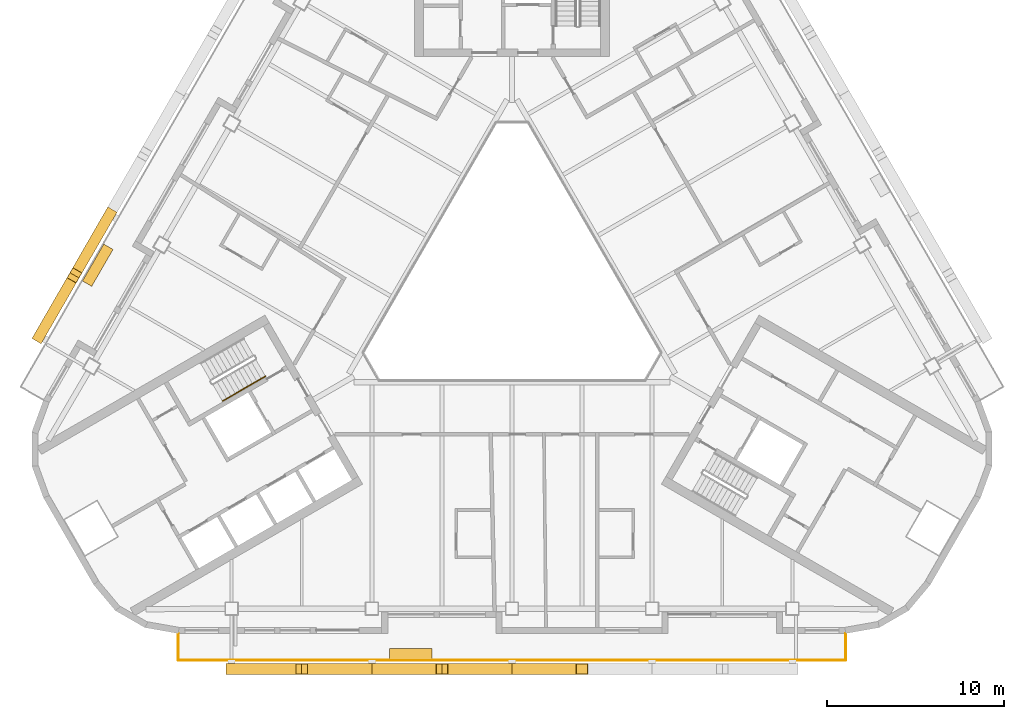
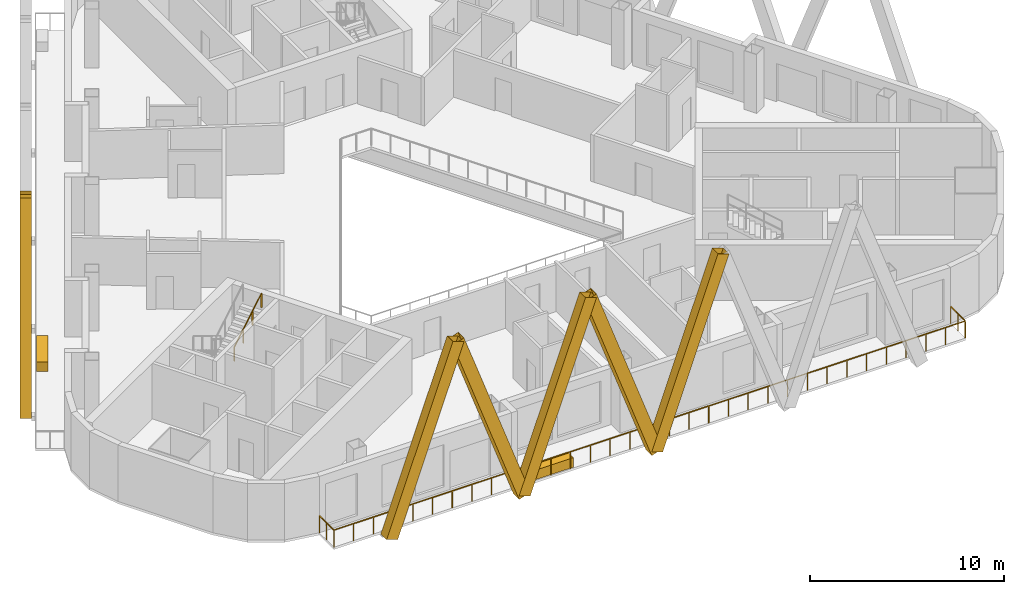
# One storey, part 8 of 13: 7 shading devices, 2 coverings, 2 railings.
"""IFC4 building model written with IfcOpenShell, lengths in metres."""

import ifcopenshell
import ifcopenshell.guid

model = None  # the IFC model being written
_history = None  # IfcOwnerHistory: only IFC2X3 demands one
_inside = {}  # id of a spatial element -> (the spatial element, [elements in it])
_under = {}  # id of a project, library or spatial element -> (it, [spatial elements below it])
_declared = {}  # id of a project -> (the project, [libraries it declares])
_typed = {}  # id of a type object -> (the type object, [elements of that type])
_made_of = {}  # id of a material, layer set ... -> (it, [elements and type objects made of it])


def new_model(schema):
    """Start an empty IFC model of exactly this schema.

    Asked for "IFC4X3", IfcOpenShell would pick the latest addendum, in which some entities
    have other attributes; the version numbers below select the first issue.
    IFC2X3 requires an IfcOwnerHistory on every rooted entity: one is made here for all.
    """
    global model, _history
    if schema == "IFC4X3":
        model = ifcopenshell.file(schema_version=(4, 3, 0, 0))
    else:
        model = ifcopenshell.file(schema=schema)
    _inside.clear()
    _under.clear()
    _declared.clear()
    _typed.clear()
    _made_of.clear()
    _history = None
    if model.schema == "IFC2X3":
        org = make("IfcOrganization", Name="unknown")
        user = make(
            "IfcPersonAndOrganization",
            ThePerson=make("IfcPerson", FamilyName="unknown"),
            TheOrganization=org,
        )
        app = make(
            "IfcApplication",
            ApplicationDeveloper=org,
            Version="unknown",
            ApplicationFullName="unknown",
            ApplicationIdentifier="unknown",
        )
        _history = make(
            "IfcOwnerHistory",
            OwningUser=user,
            OwningApplication=app,
            ChangeAction="ADDED",
            CreationDate=0,
        )
    return model


def make(cls, **values):
    """One entity of the class cls with the attributes given. An attribute that is None is left unset."""
    return model.create_entity(
        cls, **{name: value for name, value in values.items() if value is not None}
    )


def rooted(cls, **values):
    """An entity with a GlobalId (a new one), such as an element, a storey or a relation."""
    return make(cls, GlobalId=ifcopenshell.guid.new(), OwnerHistory=_history, **values)


def si_unit(unit_type, name, prefix=None):
    """IfcSIUnit, for example si_unit("LENGTHUNIT", "METRE", prefix="MILLI")."""
    return make("IfcSIUnit", UnitType=unit_type, Prefix=prefix, Name=name)


def assignment(units):
    """IfcUnitAssignment: the units of a project."""
    return None if units is None else make("IfcUnitAssignment", Units=units)


def point(xyz):
    """IfcCartesianPoint."""
    return None if xyz is None else make("IfcCartesianPoint", Coordinates=xyz)


def direction(xyz):
    """IfcDirection."""
    return None if xyz is None else make("IfcDirection", DirectionRatios=xyz)


def frame(location, z_axis=None, x_axis=None):
    """IfcAxis2Placement3D, a coordinate frame: its origin and axes. An axis left out is left unset."""
    return make(
        "IfcAxis2Placement3D",
        Location=point(location),
        Axis=direction(z_axis),
        RefDirection=direction(x_axis),
    )


def frame_2d(location, x_axis=None):
    """IfcAxis2Placement2D, a coordinate frame in the plane: its origin and x axis."""
    return make(
        "IfcAxis2Placement2D", Location=point(location), RefDirection=direction(x_axis)
    )


def origin():
    """The frame at (0, 0, 0) with its axes left unset."""
    return frame((0.0, 0.0, 0.0))


def origin_2d():
    """The frame at (0, 0) in the plane with its x axis left unset."""
    return frame_2d((0.0, 0.0))


def place(relative_to, where):
    """IfcLocalPlacement: puts the frame where relative to a parent placement (None: the world)."""
    return make(
        "IfcLocalPlacement", PlacementRelTo=relative_to, RelativePlacement=where
    )


def context(
    kind, dimensions, precision=None, world=None, true_north=None, identifier=None
):
    """IfcGeometricRepresentationContext, for example the 3D "Model" context."""
    return make(
        "IfcGeometricRepresentationContext",
        ContextIdentifier=identifier,
        ContextType=kind,
        CoordinateSpaceDimension=dimensions,
        Precision=precision,
        WorldCoordinateSystem=world,
        TrueNorth=true_north,
    )


def subcontext(parent, identifier, kind, view, scale=None):
    """IfcGeometricRepresentationSubContext, for example "Body" below "Model"."""
    return make(
        "IfcGeometricRepresentationSubContext",
        ContextIdentifier=identifier,
        ContextType=kind,
        ParentContext=parent,
        TargetScale=scale,
        TargetView=view,
    )


def project(units=None, contexts=None):
    """IfcProject with its units and contexts."""
    return rooted(
        "IfcProject",
        Name="project",
        RepresentationContexts=contexts,
        UnitsInContext=assignment(units),
    )


def spatial(cls, under=None, at=None, **own):
    """A site, building, storey or space (cls), placed at a placement, below another one or the project."""
    s = rooted(cls, ObjectPlacement=at, **own)
    if under is not None:
        _under.setdefault(under.id(), (under, []))[1].append(s)
    return s


def profile(cls, at=None, kind="AREA", **sizes):
    """A parametric profile (cls). Its sizes go by their IFC names, for example OverallWidth=200.0."""
    return make(cls, ProfileType=kind, Position=at, **sizes)


def rectangle(**sizes):
    """IfcRectangleProfileDef."""
    return profile("IfcRectangleProfileDef", **sizes)


def hollow_rectangle(**sizes):
    """IfcRectangleHollowProfileDef."""
    return profile("IfcRectangleHollowProfileDef", **sizes)


def circle(**sizes):
    """IfcCircleProfileDef."""
    return profile("IfcCircleProfileDef", **sizes)


def extrude(swept, where, along, depth):
    """IfcExtrudedAreaSolid: the profile swept, set in the frame where, extruded along a direction by depth."""
    return make(
        "IfcExtrudedAreaSolid",
        SweptArea=swept,
        Position=where,
        ExtrudedDirection=direction(along),
        Depth=depth,
    )


def shape(context_of_items, identifier, shape_type, items):
    """IfcShapeRepresentation: the items that make up one representation, for example the "Body"."""
    return make(
        "IfcShapeRepresentation",
        ContextOfItems=context_of_items,
        RepresentationIdentifier=identifier,
        RepresentationType=shape_type,
        Items=items,
    )


def material(Name=None, Category=None):
    """IfcMaterial."""
    return make("IfcMaterial", Name=Name, Category=Category)


def material_profile(
    of_material, cross_section, Name=None, Category=None, Priority=None
):
    """IfcMaterialProfile: a cross section and its material."""
    return make(
        "IfcMaterialProfile",
        Name=Name,
        Material=of_material,
        Profile=cross_section,
        Priority=Priority,
        Category=Category,
    )


def profile_set(profiles, Name=None, composite=None):
    """IfcMaterialProfileSet."""
    return make(
        "IfcMaterialProfileSet",
        Name=Name,
        MaterialProfiles=profiles,
        CompositeProfile=composite,
    )


def made_of(thing, what):
    """Note that an element or type object is made of a material, layer set ...; save() writes the relation."""
    if what is not None:
        _made_of.setdefault(what.id(), (what, []))[1].append(thing)
    return thing


def type_object(cls, material=None, **own):
    """A type object (cls), such as IfcWallType, which elements share."""
    return made_of(rooted(cls, **own), material)


def element(
    cls,
    number,
    at=None,
    inside=None,
    cuts=None,
    type_object=None,
    material=None,
    context=None,
    identifier="Body",
    shape_type=None,
    held_by="IfcProductDefinitionShape",
    body=None,
    shapes=None,
    **own,
):
    """One element of the class cls, such as IfcWall. Its Tag is "e" and its number.

    at: its placement. inside: the storey or other place that contains it. cuts: it is an
    opening in that element (IfcRelVoidsElement). A single representation is given by context,
    identifier, shape_type and body (its items); several are given by shapes. held_by: the class
    of the entity that holds the representations. save() writes the other relations.
    """
    e = rooted(cls, Tag="e%d" % number, ObjectPlacement=at, **own)
    if body is not None:
        shapes = [shape(context, identifier, shape_type, body)]
    if shapes is not None:
        e.Representation = make(held_by, Representations=shapes)
    if inside is not None:
        _inside.setdefault(inside.id(), (inside, []))[1].append(e)
    if cuts is not None:
        rooted(
            "IfcRelVoidsElement", RelatingBuildingElement=cuts, RelatedOpeningElement=e
        )
    if type_object is not None:
        _typed.setdefault(type_object.id(), (type_object, []))[1].append(e)
    return made_of(e, material)


def aggregate(whole, parts):
    """IfcRelAggregates: a whole, such as a stair, and the parts it consists of."""
    return rooted("IfcRelAggregates", RelatingObject=whole, RelatedObjects=parts)


def save(model, path):
    """Write the relations noted so far, then the file.

    IfcRelAggregates (storeys below a building ...), IfcRelContainedInSpatialStructure (elements
    in a storey), IfcRelDefinesByType, IfcRelAssociatesMaterial and IfcRelDeclares: one each for
    every whole, place, type object, material and project.
    """
    for whole, parts in _under.values():
        aggregate(whole, parts)
    for where, things in _inside.values():
        rooted(
            "IfcRelContainedInSpatialStructure",
            RelatedElements=things,
            RelatingStructure=where,
        )
    for kind, things in _typed.values():
        rooted("IfcRelDefinesByType", RelatedObjects=things, RelatingType=kind)
    for what, things in _made_of.values():
        rooted("IfcRelAssociatesMaterial", RelatedObjects=things, RelatingMaterial=what)
    for by, libraries in _declared.values():
        rooted("IfcRelDeclares", RelatingContext=by, RelatedDefinitions=libraries)
    model.write(path)


model = new_model("IFC4")

# Units and contexts
model_context = context("Model", 3, precision=1e-05, world=origin(), true_north=direction((0.0, 1.0)))
body_context = subcontext(model_context, "Body", "Model", "MODEL_VIEW")
ifc_project = project(units=[si_unit("LENGTHUNIT", "METRE"), si_unit("AREAUNIT", "SQUARE_METRE"), si_unit("VOLUMEUNIT", "CUBIC_METRE"), si_unit("PLANEANGLEUNIT", "RADIAN"), si_unit("MASSUNIT", "GRAM", prefix="KILO")], contexts=[model_context])

# Site, building, storey
site_placement = place(None, origin())
site = spatial("IfcSite", under=ifc_project, at=site_placement, CompositionType="ELEMENT")
building_placement = place(site_placement, origin())
building = spatial("IfcBuilding", under=site, at=building_placement, Name="Apuvela Tower Hotel", CompositionType="ELEMENT")
storey_placement = place(building_placement, frame((0.0, 0.0, 191.0)))
storey = spatial("IfcBuildingStorey", under=building, at=storey_placement, Name="L46", CompositionType="ELEMENT", Elevation=191.0)

# Railing
ifc_material_1 = material(Name="Stainless steel 316 handrail", Category="steel")
railing_type_1 = type_object("IfcRailingType", Name="COR-HANDRAIL-900", PredefinedType="HANDRAIL", material=ifc_material_1)
railing_1_placement = place(storey_placement, frame((-16.31884765625, -6.534912109375, 2.01806640625)))
element("IfcRailing", 1, at=railing_1_placement, inside=storey, type_object=railing_type_1, Name="L46 ST2 stair handrail 2", PredefinedType="HANDRAIL", context=body_context, shape_type="SweptSolid", body=[
    extrude(circle(Radius=0.02392578125, at=origin_2d()), frame((0.0, 0.0, 0.8759765625), z_axis=(0.742390482028, 0.42860119049, 0.514934356695), x_axis=(-0.49998411664, 0.866034573852, 0.0)), (0.0, 0.0, 1.0), 3.26611328125),
    extrude(rectangle(XDim=0.0419921875, YDim=0.0419921875, at=origin_2d()), origin(), (0.0, 0.0, 1.0), 0.851806640625),
    extrude(rectangle(XDim=0.0419921875, YDim=0.0419921875, at=origin_2d()), frame((0.808349609375, 0.466552734375, 0.560546875)), (0.0, 0.0, 1.0), 0.851806640625),
    extrude(rectangle(XDim=0.0419921875, YDim=0.0419921875, at=origin_2d()), frame((1.616455078125, 0.933349609375, 1.121337890625)), (0.0, 0.0, 1.0), 0.851806640625),
    extrude(rectangle(XDim=0.0419921875, YDim=0.0419921875, at=origin_2d()), frame((2.4248046875, 1.39990234375, 1.681884765625)), (0.0, 0.0, 1.0), 0.851806640625),
])

# Shading devices
ifc_material_2 = material(Name="Aluminium 6063-T6, black anodised", Category="aluminium")
ifc_material_profile = material_profile(ifc_material_2, hollow_rectangle(XDim=0.60009765625, YDim=0.699951171875, WallThickness=0.011962890625, at=origin_2d()), Name="AL BOX 700x600x12")
ifc_profile_set = profile_set([ifc_material_profile], Name="Aluminium 6063-T6, black anodised")
shading_device_type = type_object("IfcShadingDeviceType", Name="ENV-FIN-700x600", PredefinedType="USERDEFINED", material=ifc_profile_set)
for number, where, z_axis, x_axis, name in (
    (2, (-15.800048828125, -21.6298828125, -0.10009765625), (0.335254527156, 0.0, 0.942127593281), (0.0, 1.0, 0.0), "Lattice fin S433"),
    (3, (-7.89990234375, -21.6298828125, -0.10009765625), (-0.335272919535, 0.0, 0.942121048181), (0.0, -1.0, 0.0), "Lattice fin S434"),
    (4, (-7.89990234375, -21.6298828125, -0.10009765625), (0.335254527156, 0.0, 0.942127593281), (0.0, 1.0, 0.0), "Lattice fin S435"),
    (5, (0.0, -21.6298828125, -0.10009765625), (-0.335254527156, 0.0, 0.942127593281), (0.0, -1.0, 0.0), "Lattice fin S436"),
    (6, (0.0, -21.6298828125, -0.10009765625), (0.335254527156, 0.0, 0.942127593281), (0.0, 1.0, 0.0), "Lattice fin S437"),
    (7, (-22.68212890625, 3.973388671875, -0.10009765625), (-0.167616614035, -0.290350351818, 0.942125970292), (0.866047669374, -0.499961432884, 0.0), "Lattice fin NW503"),
    (8, (-26.632080078125, -2.8681640625, -0.10009765625), (0.167637761855, 0.290330368522, 0.942128365943), (-0.866005453737, 0.500034552904, 0.0), "Lattice fin NW504"),
):
    element("IfcShadingDevice", number, at=place(storey_placement, frame(where, z_axis=z_axis, x_axis=x_axis)), inside=storey, type_object=shading_device_type, Name=name, ObjectType="FIN", PredefinedType="USERDEFINED", context=body_context, shape_type="SweptSolid", body=[
        extrude(hollow_rectangle(XDim=0.60009765625, YDim=0.699951171875, WallThickness=0.011962890625, at=origin_2d()), origin(), (0.0, 0.0, 1.0), 11.781982421875),
    ])

# Railing
ifc_material_3 = material(Name="Stainless steel 316 rail with laminated glass infill", Category="steel")
railing_type_2 = type_object("IfcRailingType", Name="ENV-GUARD-1100", PredefinedType="GUARDRAIL", material=ifc_material_3)
railing_2_placement = place(storey_placement, frame((-18.81591796875, -19.6298828125, 0.0)))
element("IfcRailing", 9, at=railing_2_placement, inside=storey, type_object=railing_type_2, Name="Balcony guard S L46", PredefinedType="GUARDRAIL", context=body_context, shape_type="SweptSolid", body=[
    extrude(rectangle(XDim=0.050048828125, YDim=0.050048828125, at=origin_2d()), frame((0.0, 0.0, 1.0751953125), z_axis=(0.0, -1.0, 0.0), x_axis=(1.0, 0.0, 0.0)), (0.0, 0.0, 1.0), 1.5),
    extrude(rectangle(XDim=0.050048828125, YDim=0.050048828125, at=origin_2d()), frame((0.0, -1.5, 1.0751953125), z_axis=(1.0, 0.0, 0.0), x_axis=(0.0, 1.0, 0.0)), (0.0, 0.0, 1.0), 37.6318359375),
    extrude(rectangle(XDim=0.050048828125, YDim=0.050048828125, at=origin_2d()), frame((37.6318359375, -1.5, 1.0751953125), z_axis=(0.0, 1.0, 0.0), x_axis=(-1.0, 0.0, 0.0)), (0.0, 0.0, 1.0), 1.5),
    extrude(rectangle(XDim=0.0400390625, YDim=0.0400390625, at=origin_2d()), origin(), (0.0, 0.0, 1.0), 1.050048828125),
    extrude(rectangle(XDim=0.0400390625, YDim=0.0400390625, at=origin_2d()), frame((0.0, -0.75, 0.0)), (0.0, 0.0, 1.0), 1.050048828125),
    extrude(rectangle(XDim=0.0400390625, YDim=0.0400390625, at=origin_2d()), frame((0.0, -1.5, 0.0)), (0.0, 0.0, 1.0), 1.050048828125),
    extrude(rectangle(XDim=0.0400390625, YDim=0.0400390625, at=origin_2d()), frame((1.176025390625, -1.5, 0.0)), (0.0, 0.0, 1.0), 1.050048828125),
    extrude(rectangle(XDim=0.0400390625, YDim=0.0400390625, at=origin_2d()), frame((2.35205078125, -1.5, 0.0)), (0.0, 0.0, 1.0), 1.050048828125),
    extrude(rectangle(XDim=0.0400390625, YDim=0.0400390625, at=origin_2d()), frame((3.528076171875, -1.5, 0.0)), (0.0, 0.0, 1.0), 1.050048828125),
    extrude(rectangle(XDim=0.0400390625, YDim=0.0400390625, at=origin_2d()), frame((4.7041015625, -1.5, 0.0)), (0.0, 0.0, 1.0), 1.050048828125),
    extrude(rectangle(XDim=0.0400390625, YDim=0.0400390625, at=origin_2d()), frame((5.8798828125, -1.5, 0.0)), (0.0, 0.0, 1.0), 1.050048828125),
    extrude(rectangle(XDim=0.0400390625, YDim=0.0400390625, at=origin_2d()), frame((7.055908203125, -1.5, 0.0)), (0.0, 0.0, 1.0), 1.050048828125),
    extrude(rectangle(XDim=0.0400390625, YDim=0.0400390625, at=origin_2d()), frame((8.23193359375, -1.5, 0.0)), (0.0, 0.0, 1.0), 1.050048828125),
    extrude(rectangle(XDim=0.0400390625, YDim=0.0400390625, at=origin_2d()), frame((9.407958984375, -1.5, 0.0)), (0.0, 0.0, 1.0), 1.050048828125),
    extrude(rectangle(XDim=0.0400390625, YDim=0.0400390625, at=origin_2d()), frame((10.583984375, -1.5, 0.0)), (0.0, 0.0, 1.0), 1.050048828125),
    extrude(rectangle(XDim=0.0400390625, YDim=0.0400390625, at=origin_2d()), frame((11.760009765625, -1.5, 0.0)), (0.0, 0.0, 1.0), 1.050048828125),
    extrude(rectangle(XDim=0.0400390625, YDim=0.0400390625, at=origin_2d()), frame((12.93603515625, -1.5, 0.0)), (0.0, 0.0, 1.0), 1.050048828125),
    extrude(rectangle(XDim=0.0400390625, YDim=0.0400390625, at=origin_2d()), frame((14.11181640625, -1.5, 0.0)), (0.0, 0.0, 1.0), 1.050048828125),
    extrude(rectangle(XDim=0.0400390625, YDim=0.0400390625, at=origin_2d()), frame((15.287841796875, -1.5, 0.0)), (0.0, 0.0, 1.0), 1.050048828125),
    extrude(rectangle(XDim=0.0400390625, YDim=0.0400390625, at=origin_2d()), frame((16.4638671875, -1.5, 0.0)), (0.0, 0.0, 1.0), 1.050048828125),
    extrude(rectangle(XDim=0.0400390625, YDim=0.0400390625, at=origin_2d()), frame((17.639892578125, -1.5, 0.0)), (0.0, 0.0, 1.0), 1.050048828125),
    extrude(rectangle(XDim=0.0400390625, YDim=0.0400390625, at=origin_2d()), frame((18.81591796875, -1.5, 0.0)), (0.0, 0.0, 1.0), 1.050048828125),
    extrude(rectangle(XDim=0.0400390625, YDim=0.0400390625, at=origin_2d()), frame((19.991943359375, -1.5, 0.0)), (0.0, 0.0, 1.0), 1.050048828125),
    extrude(rectangle(XDim=0.0400390625, YDim=0.0400390625, at=origin_2d()), frame((21.16796875, -1.5, 0.0)), (0.0, 0.0, 1.0), 1.050048828125),
    extrude(rectangle(XDim=0.0400390625, YDim=0.0400390625, at=origin_2d()), frame((22.343994140625, -1.5, 0.0)), (0.0, 0.0, 1.0), 1.050048828125),
    extrude(rectangle(XDim=0.0400390625, YDim=0.0400390625, at=origin_2d()), frame((23.52001953125, -1.5, 0.0)), (0.0, 0.0, 1.0), 1.050048828125),
    extrude(rectangle(XDim=0.0400390625, YDim=0.0400390625, at=origin_2d()), frame((24.69580078125, -1.5, 0.0)), (0.0, 0.0, 1.0), 1.050048828125),
    extrude(rectangle(XDim=0.0400390625, YDim=0.0400390625, at=origin_2d()), frame((25.871826171875, -1.5, 0.0)), (0.0, 0.0, 1.0), 1.050048828125),
    extrude(rectangle(XDim=0.0400390625, YDim=0.0400390625, at=origin_2d()), frame((27.0478515625, -1.5, 0.0)), (0.0, 0.0, 1.0), 1.050048828125),
    extrude(rectangle(XDim=0.0400390625, YDim=0.0400390625, at=origin_2d()), frame((28.223876953125, -1.5, 0.0)), (0.0, 0.0, 1.0), 1.050048828125),
    extrude(rectangle(XDim=0.0400390625, YDim=0.0400390625, at=origin_2d()), frame((29.39990234375, -1.5, 0.0)), (0.0, 0.0, 1.0), 1.050048828125),
    extrude(rectangle(XDim=0.0400390625, YDim=0.0400390625, at=origin_2d()), frame((30.575927734375, -1.5, 0.0)), (0.0, 0.0, 1.0), 1.050048828125),
    extrude(rectangle(XDim=0.0400390625, YDim=0.0400390625, at=origin_2d()), frame((31.751953125, -1.5, 0.0)), (0.0, 0.0, 1.0), 1.050048828125),
    extrude(rectangle(XDim=0.0400390625, YDim=0.0400390625, at=origin_2d()), frame((32.927734375, -1.5, 0.0)), (0.0, 0.0, 1.0), 1.050048828125),
    extrude(rectangle(XDim=0.0400390625, YDim=0.0400390625, at=origin_2d()), frame((34.103759765625, -1.5, 0.0)), (0.0, 0.0, 1.0), 1.050048828125),
    extrude(rectangle(XDim=0.0400390625, YDim=0.0400390625, at=origin_2d()), frame((35.27978515625, -1.5, 0.0)), (0.0, 0.0, 1.0), 1.050048828125),
    extrude(rectangle(XDim=0.0400390625, YDim=0.0400390625, at=origin_2d()), frame((36.455810546875, -1.5, 0.0)), (0.0, 0.0, 1.0), 1.050048828125),
    extrude(rectangle(XDim=0.0400390625, YDim=0.0400390625, at=origin_2d()), frame((37.6318359375, -1.5, 0.0)), (0.0, 0.0, 1.0), 1.050048828125),
    extrude(rectangle(XDim=0.0400390625, YDim=0.0400390625, at=origin_2d()), frame((37.6318359375, -0.75, 0.0)), (0.0, 0.0, 1.0), 1.050048828125),
    extrude(rectangle(XDim=0.0400390625, YDim=0.0400390625, at=origin_2d()), frame((37.6318359375, 0.0, 0.0)), (0.0, 0.0, 1.0), 1.050048828125),
])

# Coverings
ifc_material_4 = material(Name="Planting substrate and soil, planted")
covering_type = type_object("IfcCoveringType", Name="ENV-PLANTER-2400x600", PredefinedType="USERDEFINED", material=ifc_material_4)
for number, where, z_axis, x_axis, name in (
    (10, (-5.69970703125, -20.780029296875, 0.0), (0.0, 0.0, 1.0), (1.0, 0.0, 0.0), "Planter S1"),
    (11, (-23.345947265625, 1.12353515625, 0.0), (0.0, 0.0, 1.0), (-0.5, -0.866025403784, 0.0), "Planter NW5"),
):
    element("IfcCovering", number, at=place(storey_placement, frame(where, z_axis=z_axis, x_axis=x_axis)), inside=storey, type_object=covering_type, Name=name, ObjectType="PLANTER", PredefinedType="USERDEFINED", context=body_context, shape_type="SweptSolid", body=[
        extrude(rectangle(XDim=2.39990234375, YDim=0.60009765625, at=origin_2d()), origin(), (0.0, 0.0, 1.0), 0.60009765625),
    ])

save(model, "model.ifc")
